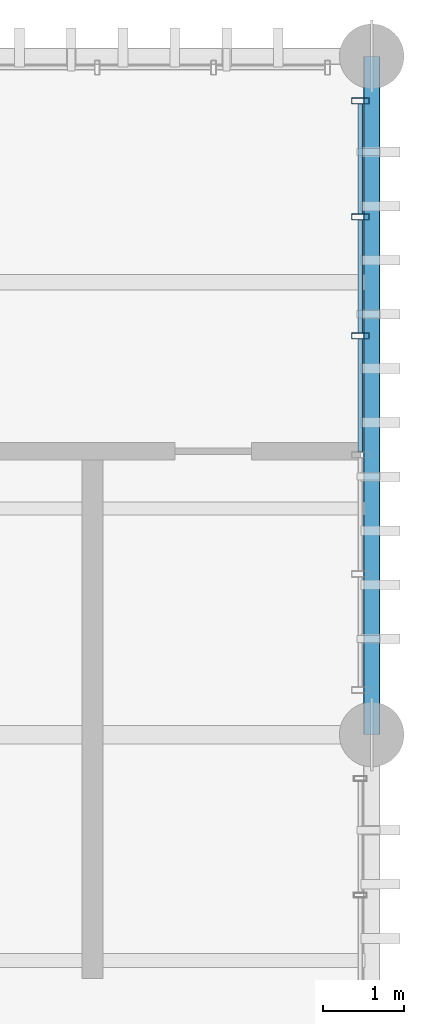
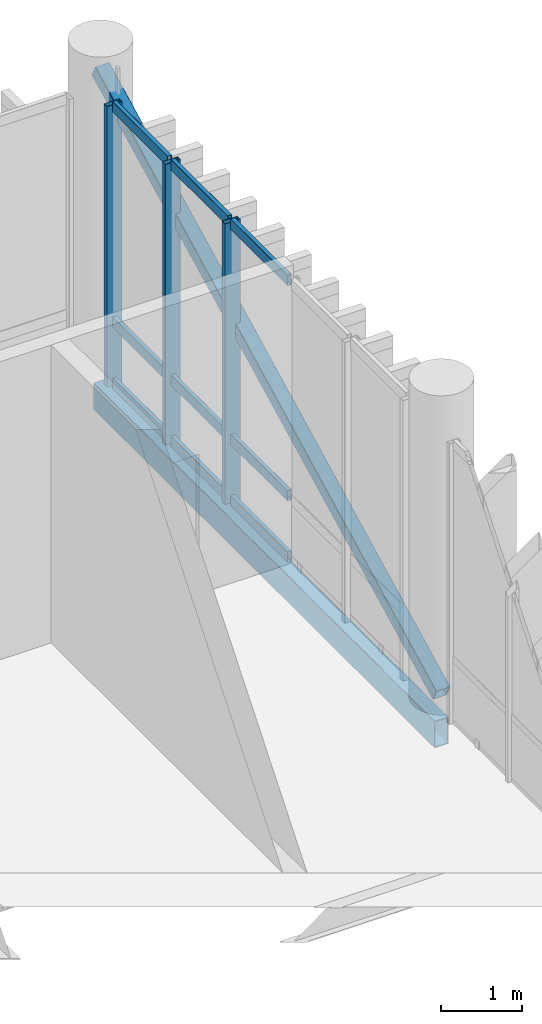
# One storey, part 62 of 94: 13 members, 1 beam, 1 element without a shape of its own.
"""IFC4 building model written with IfcOpenShell, lengths in metres."""

from ifc_helpers import new_model, si_unit, direction, frame, origin_with_axes, origin_2d_with_axis, place, context, subcontext, project, spatial, hollow_rectangle, extrude, material, material_profile, profile_set, type_object, element, aggregate, save


model = new_model("IFC4")

# Units and contexts
model_context = context("Model", 3, precision=1e-05, world=origin_with_axes(), true_north=direction((0.0, 1.0)))
body_context = subcontext(model_context, "Body", "Model", "MODEL_VIEW")
ifc_project = project(units=[si_unit("LENGTHUNIT", "METRE"), si_unit("AREAUNIT", "SQUARE_METRE"), si_unit("VOLUMEUNIT", "CUBIC_METRE"), si_unit("PLANEANGLEUNIT", "RADIAN"), si_unit("MASSUNIT", "GRAM", prefix="KILO"), si_unit("THERMODYNAMICTEMPERATUREUNIT", "KELVIN")], contexts=[model_context])

# Site, building, storey
site_placement = place(None, origin_with_axes())
site = spatial("IfcSite", under=ifc_project, at=site_placement, CompositionType="ELEMENT")
building_placement = place(site_placement, origin_with_axes())
building = spatial("IfcBuilding", under=site, at=building_placement, Name="Montbau Bow Law Courts", CompositionType="ELEMENT")
storey_placement = place(building_placement, frame((0.0, 0.0, 15.6), z_axis=(0.0, 0.0, 1.0), x_axis=(1.0, 0.0, 0.0)))
storey = spatial("IfcBuildingStorey", under=building, at=storey_placement, Name="L03", CompositionType="ELEMENT", Elevation=15.6)

# Beam
ifc_material_1 = material(Name="Steel CSA G40.21 Grade 350WT (350 MPa)", Category="steel")
ifc_material_profile_1 = material_profile(ifc_material_1, hollow_rectangle(XDim=0.203, YDim=0.406, WallThickness=0.0127, InnerFilletRadius=0.0254, OuterFilletRadius=0.0127, at=origin_2d_with_axis()), Name="HSS406X203X13", Category="Main", Priority=0)
ifc_profile_set_1 = profile_set([ifc_material_profile_1], Name="Steel CSA G40.21 Grade 350WT (350 MPa)")
beam_type = type_object("IfcBeamType", Name="B-SPN-01", PredefinedType="SPANDREL", material=ifc_profile_set_1)
beam_placement = place(None, frame((169.4, 94.8, 15.057), z_axis=(0.0, 1.0, 0.0), x_axis=(-1.0, 0.0, 0.0)))
element("IfcBeam", 1, at=beam_placement, inside=storey, type_object=beam_type, Name="SPN-L03-S1244:bm2_1247", PredefinedType="SPANDREL", context=body_context, shape_type="SweptSolid", body=[
    extrude(hollow_rectangle(XDim=0.203, YDim=0.406, WallThickness=0.0127, InnerFilletRadius=0.0254, OuterFilletRadius=0.0127, at=origin_2d_with_axis()), origin_with_axes(), (0.0, 0.0, 1.0), 8.4),
])

# Member
ifc_material_2 = material(Name="Steel CSA G40.21 Grade 350W (350 MPa)", Category="steel")
ifc_material_profile_2 = material_profile(ifc_material_2, hollow_rectangle(XDim=0.203, YDim=0.203, WallThickness=0.0111, InnerFilletRadius=0.0222, OuterFilletRadius=0.0111, at=origin_2d_with_axis()), Name="HSS203X203X11", Category="Main", Priority=0)
ifc_profile_set_2 = profile_set([ifc_material_profile_2], Name="Steel CSA G40.21 Grade 350W (350 MPa)")
member_type_1 = type_object("IfcMemberType", Name="M-BRC-02", PredefinedType="BRACE", material=ifc_profile_set_2)
member_1_placement = place(None, frame((169.4, 94.8, 15.65), z_axis=(0.0, 0.890277145, 0.455419154), x_axis=(-1.0, 0.0, 0.0)))
element("IfcMember", 2, at=member_1_placement, inside=storey, type_object=member_type_1, Name="Diagonal brace CBF-L03-076A", PredefinedType="BRACE", context=body_context, shape_type="SweptSolid", body=[
    extrude(hollow_rectangle(XDim=0.203, YDim=0.203, WallThickness=0.0111, InnerFilletRadius=0.0222, OuterFilletRadius=0.0111, at=origin_2d_with_axis()), origin_with_axes(), (0.0, 0.0, 1.0), 9.435264),
])

# Curtain wall, members
ifc_material_3 = material(Name="Thermally Broken Extruded Aluminium AA 6063-T6", Category="aluminium")
curtain_wall_type = type_object("IfcCurtainWallType", Name="CW-SLT-01", PredefinedType="NOTDEFINED", material=ifc_material_3)
curtain_wall_placement = place(None, frame((169.26, 95.315, 15.6), z_axis=(0.0, 0.0, 1.0), x_axis=(1.0, 0.0, 0.0)))
curtain_wall = element("IfcCurtainWall", 3, at=curtain_wall_placement, inside=storey, type_object=curtain_wall_type, Name="CW-L03-324:cw_0324", PredefinedType="NOTDEFINED")
ifc_material_profile_3 = material_profile(ifc_material_3, hollow_rectangle(XDim=0.075, YDim=0.22, WallThickness=0.005, InnerFilletRadius=0.01, OuterFilletRadius=0.005, at=origin_2d_with_axis()), Name="CWM-220X75", Category="Main", Priority=0)
ifc_profile_set_3 = profile_set([ifc_material_profile_3], Name="Thermally Broken Extruded Aluminium AA 6063-T6")
member_type_2 = type_object("IfcMemberType", Name="M-MUL-01", PredefinedType="MULLION", material=ifc_profile_set_3)
member_2_placement = place(None, frame((169.26, 99.737, 15.6), z_axis=(0.0, 0.0, 1.0), x_axis=(0.0, 1.0, 0.0)))
member_2 = element("IfcMember", 4, at=member_2_placement, type_object=member_type_2, Name="CW-L03-324-M04:cw_0324_M04", PredefinedType="MULLION", context=body_context, shape_type="SweptSolid", body=[
    extrude(hollow_rectangle(XDim=0.075, YDim=0.22, WallThickness=0.005, InnerFilletRadius=0.01, OuterFilletRadius=0.005, at=origin_2d_with_axis()), origin_with_axes(), (0.0, 0.0, 1.0), 4.22),
])
member_3_placement = place(None, frame((169.26, 101.211, 15.6), z_axis=(0.0, 0.0, 1.0), x_axis=(0.0, 1.0, 0.0)))
member_3 = element("IfcMember", 5, at=member_3_placement, type_object=member_type_2, Name="CW-L03-324-M05:cw_0324_M05", PredefinedType="MULLION", context=body_context, shape_type="SweptSolid", body=[
    extrude(hollow_rectangle(XDim=0.075, YDim=0.22, WallThickness=0.005, InnerFilletRadius=0.01, OuterFilletRadius=0.005, at=origin_2d_with_axis()), origin_with_axes(), (0.0, 0.0, 1.0), 4.22),
])
member_4_placement = place(None, frame((169.26, 102.648, 15.6), z_axis=(0.0, 0.0, 1.0), x_axis=(0.0, 1.0, 0.0)))
member_4 = element("IfcMember", 6, at=member_4_placement, type_object=member_type_2, Name="CW-L03-324-M06:cw_0324_M06", PredefinedType="MULLION", context=body_context, shape_type="SweptSolid", body=[
    extrude(hollow_rectangle(XDim=0.075, YDim=0.22, WallThickness=0.005, InnerFilletRadius=0.01, OuterFilletRadius=0.005, at=origin_2d_with_axis()), origin_with_axes(), (0.0, 0.0, 1.0), 4.22),
])
ifc_material_profile_4 = material_profile(ifc_material_3, hollow_rectangle(XDim=0.06, YDim=0.16, WallThickness=0.004, InnerFilletRadius=0.008, OuterFilletRadius=0.004, at=origin_2d_with_axis()), Name="CWT-160X60", Category="Main", Priority=0)
ifc_profile_set_4 = profile_set([ifc_material_profile_4], Name="Thermally Broken Extruded Aluminium AA 6063-T6")
member_type_3 = type_object("IfcMemberType", Name="M-TRN-01", PredefinedType="USERDEFINED", material=ifc_profile_set_4)
member_5_placement = place(None, frame((169.26, 98.302, 15.63), z_axis=(0.0, 1.0, 0.0), x_axis=(-1.0, 0.0, 0.0)))
member_5 = element("IfcMember", 7, at=member_5_placement, type_object=member_type_3, Name="CW-L03-324-T03-1:cw_0324_T03_1", ObjectType="TRANSOM", PredefinedType="USERDEFINED", context=body_context, shape_type="SweptSolid", body=[
    extrude(hollow_rectangle(XDim=0.06, YDim=0.16, WallThickness=0.004, InnerFilletRadius=0.008, OuterFilletRadius=0.004, at=origin_2d_with_axis()), origin_with_axes(), (0.0, 0.0, 1.0), 1.396),
])
member_6_placement = place(None, frame((169.26, 98.302, 16.55), z_axis=(0.0, 1.0, 0.0), x_axis=(-1.0, 0.0, 0.0)))
member_6 = element("IfcMember", 8, at=member_6_placement, type_object=member_type_3, Name="CW-L03-324-T03-2:cw_0324_T03_2", ObjectType="TRANSOM", PredefinedType="USERDEFINED", context=body_context, shape_type="SweptSolid", body=[
    extrude(hollow_rectangle(XDim=0.06, YDim=0.16, WallThickness=0.004, InnerFilletRadius=0.008, OuterFilletRadius=0.004, at=origin_2d_with_axis()), origin_with_axes(), (0.0, 0.0, 1.0), 1.396),
])
member_7_placement = place(None, frame((169.26, 98.302, 19.79), z_axis=(0.0, 1.0, 0.0), x_axis=(-1.0, 0.0, 0.0)))
member_7 = element("IfcMember", 9, at=member_7_placement, type_object=member_type_3, Name="CW-L03-324-T03-3:cw_0324_T03_3", ObjectType="TRANSOM", PredefinedType="USERDEFINED", context=body_context, shape_type="SweptSolid", body=[
    extrude(hollow_rectangle(XDim=0.06, YDim=0.16, WallThickness=0.004, InnerFilletRadius=0.008, OuterFilletRadius=0.004, at=origin_2d_with_axis()), origin_with_axes(), (0.0, 0.0, 1.0), 1.396),
])
member_8_placement = place(None, frame((169.26, 99.776, 15.63), z_axis=(0.0, 1.0, 0.0), x_axis=(-1.0, 0.0, 0.0)))
member_8 = element("IfcMember", 10, at=member_8_placement, type_object=member_type_3, Name="CW-L03-324-T04-1:cw_0324_T04_1", ObjectType="TRANSOM", PredefinedType="USERDEFINED", context=body_context, shape_type="SweptSolid", body=[
    extrude(hollow_rectangle(XDim=0.06, YDim=0.16, WallThickness=0.004, InnerFilletRadius=0.008, OuterFilletRadius=0.004, at=origin_2d_with_axis()), origin_with_axes(), (0.0, 0.0, 1.0), 1.396),
])
member_9_placement = place(None, frame((169.26, 99.776, 16.55), z_axis=(0.0, 1.0, 0.0), x_axis=(-1.0, 0.0, 0.0)))
member_9 = element("IfcMember", 11, at=member_9_placement, type_object=member_type_3, Name="CW-L03-324-T04-2:cw_0324_T04_2", ObjectType="TRANSOM", PredefinedType="USERDEFINED", context=body_context, shape_type="SweptSolid", body=[
    extrude(hollow_rectangle(XDim=0.06, YDim=0.16, WallThickness=0.004, InnerFilletRadius=0.008, OuterFilletRadius=0.004, at=origin_2d_with_axis()), origin_with_axes(), (0.0, 0.0, 1.0), 1.396),
])
member_10_placement = place(None, frame((169.26, 99.776, 19.79), z_axis=(0.0, 1.0, 0.0), x_axis=(-1.0, 0.0, 0.0)))
member_10 = element("IfcMember", 12, at=member_10_placement, type_object=member_type_3, Name="CW-L03-324-T04-3:cw_0324_T04_3", ObjectType="TRANSOM", PredefinedType="USERDEFINED", context=body_context, shape_type="SweptSolid", body=[
    extrude(hollow_rectangle(XDim=0.06, YDim=0.16, WallThickness=0.004, InnerFilletRadius=0.008, OuterFilletRadius=0.004, at=origin_2d_with_axis()), origin_with_axes(), (0.0, 0.0, 1.0), 1.396),
])
member_11_placement = place(None, frame((169.26, 101.25, 15.63), z_axis=(0.0, 1.0, 0.0), x_axis=(-1.0, 0.0, 0.0)))
member_11 = element("IfcMember", 13, at=member_11_placement, type_object=member_type_3, Name="CW-L03-324-T05-1:cw_0324_T05_1", ObjectType="TRANSOM", PredefinedType="USERDEFINED", context=body_context, shape_type="SweptSolid", body=[
    extrude(hollow_rectangle(XDim=0.06, YDim=0.16, WallThickness=0.004, InnerFilletRadius=0.008, OuterFilletRadius=0.004, at=origin_2d_with_axis()), origin_with_axes(), (0.0, 0.0, 1.0), 1.359),
])
member_12_placement = place(None, frame((169.26, 101.25, 16.55), z_axis=(0.0, 1.0, 0.0), x_axis=(-1.0, 0.0, 0.0)))
member_12 = element("IfcMember", 14, at=member_12_placement, type_object=member_type_3, Name="CW-L03-324-T05-2:cw_0324_T05_2", ObjectType="TRANSOM", PredefinedType="USERDEFINED", context=body_context, shape_type="SweptSolid", body=[
    extrude(hollow_rectangle(XDim=0.06, YDim=0.16, WallThickness=0.004, InnerFilletRadius=0.008, OuterFilletRadius=0.004, at=origin_2d_with_axis()), origin_with_axes(), (0.0, 0.0, 1.0), 1.359),
])
member_13_placement = place(None, frame((169.26, 101.25, 19.79), z_axis=(0.0, 1.0, 0.0), x_axis=(-1.0, 0.0, 0.0)))
member_13 = element("IfcMember", 15, at=member_13_placement, type_object=member_type_3, Name="CW-L03-324-T05-3:cw_0324_T05_3", ObjectType="TRANSOM", PredefinedType="USERDEFINED", context=body_context, shape_type="SweptSolid", body=[
    extrude(hollow_rectangle(XDim=0.06, YDim=0.16, WallThickness=0.004, InnerFilletRadius=0.008, OuterFilletRadius=0.004, at=origin_2d_with_axis()), origin_with_axes(), (0.0, 0.0, 1.0), 1.359),
])
aggregate(curtain_wall, [member_2, member_3, member_4, member_5, member_6, member_7, member_8, member_9, member_10, member_11, member_12, member_13])

save(model, "model.ifc")
